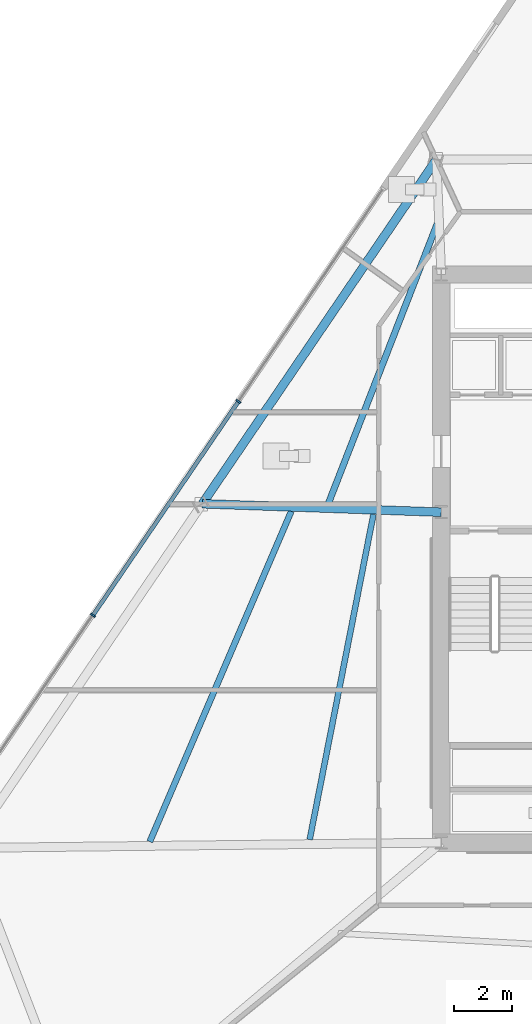
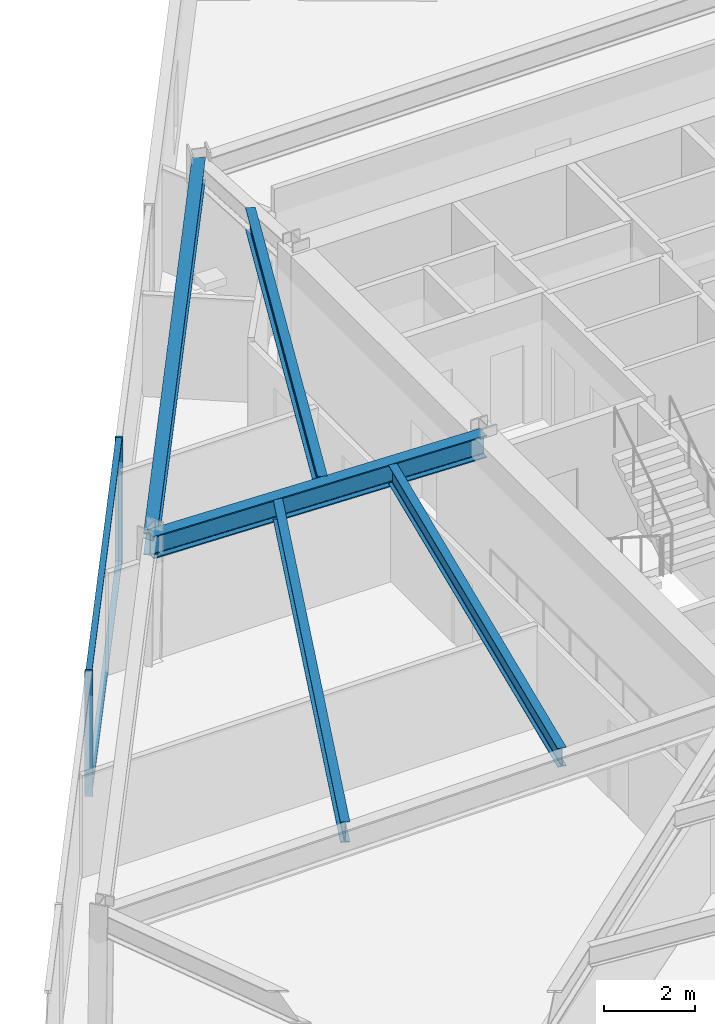
# One storey, part 4 of 18: 5 beams, 4 members, 1 element without a shape of its own.
"""IFC4 building model written with IfcOpenShell, lengths in metres."""

from ifc_helpers import new_model, si_unit, direction, frame, origin, origin_2d, place, context, subcontext, project, spatial, rectangle, i_section, extrude, material, material_profile, profile_set, type_object, element, aggregate, save


model = new_model("IFC4")

# Units and contexts
model_context = context("Model", 3, precision=1e-05, world=origin(), true_north=direction((0.0, 1.0)))
body_context = subcontext(model_context, "Body", "Model", "MODEL_VIEW")
ifc_project = project(units=[si_unit("LENGTHUNIT", "METRE"), si_unit("AREAUNIT", "SQUARE_METRE"), si_unit("VOLUMEUNIT", "CUBIC_METRE"), si_unit("PLANEANGLEUNIT", "RADIAN"), si_unit("MASSUNIT", "GRAM", prefix="KILO")], contexts=[model_context])

# Site, building, storey
site_placement = place(None, origin())
site = spatial("IfcSite", under=ifc_project, at=site_placement, CompositionType="ELEMENT")
building_placement = place(site_placement, origin())
building = spatial("IfcBuilding", under=site, at=building_placement, Name="Savorim Split Tower", CompositionType="ELEMENT")
storey_placement = place(building_placement, frame((0.0, 0.0, 37.199951171875)))
storey = spatial("IfcBuildingStorey", under=building, at=storey_placement, Name="L09", CompositionType="ELEMENT", Elevation=37.199951171875)

# Beams
ifc_material_1 = material(Name="Steel S355", Category="steel")
ifc_material_profile_1 = material_profile(ifc_material_1, i_section(OverallWidth=0.199951171875, OverallDepth=0.5, WebThickness=0.01025390625, FlangeThickness=0.01611328125, FilletRadius=0.02099609375, at=origin_2d()), Name="IPE 500")
ifc_profile_set_1 = profile_set([ifc_material_profile_1], Name="Steel S355")
beam_type_1 = type_object("IfcBeamType", Name="BM-JST-IPE500", PredefinedType="JOIST", material=ifc_profile_set_1)
beam_1_placement = place(storey_placement, frame((-10.0390625, 1.92431640625, 3.10009765625), z_axis=(-0.192472121113, -0.981302441959, 0.0), x_axis=(0.981302441959, -0.192472121113, 0.0)))
element("IfcBeam", 1, at=beam_1_placement, inside=storey, type_object=beam_type_1, Name="L09 Secondary Floor Joist JS-11", PredefinedType="JOIST", context=body_context, shape_type="SweptSolid", body=[
    extrude(i_section(OverallWidth=0.199951171875, OverallDepth=0.5, WebThickness=0.01025390625, FlangeThickness=0.01611328125, FilletRadius=0.02099609375, at=origin_2d()), origin(), (0.0, 0.0, 1.0), 11.4326171875),
])
ifc_material_profile_2 = material_profile(ifc_material_1, i_section(OverallWidth=0.2099609375, OverallDepth=0.550048828125, WebThickness=0.010986328125, FlangeThickness=0.01708984375, FilletRadius=0.02392578125, at=origin_2d()), Name="IPE 550")
ifc_profile_set_2 = profile_set([ifc_material_profile_2], Name="Steel S355")
beam_type_2 = type_object("IfcBeamType", Name="BM-JST-IPE550", PredefinedType="JOIST", material=ifc_profile_set_2)
beam_2_placement = place(storey_placement, frame((-12.874267578125, 2.033203125, 3.074951171875), z_axis=(-0.393684069866, -0.919245806699, 0.0), x_axis=(0.919245806699, -0.393684069866, 0.0)))
element("IfcBeam", 2, at=beam_2_placement, inside=storey, type_object=beam_type_2, Name="L09 Secondary Floor Joist JS-10", PredefinedType="JOIST", context=body_context, shape_type="SweptSolid", body=[
    extrude(i_section(OverallWidth=0.2099609375, OverallDepth=0.550048828125, WebThickness=0.010986328125, FlangeThickness=0.01708984375, FilletRadius=0.02392578125, at=origin_2d()), origin(), (0.0, 0.0, 1.0), 12.401611328125),
])
ifc_material_profile_3 = material_profile(ifc_material_1, i_section(OverallWidth=0.219970703125, OverallDepth=0.60009765625, WebThickness=0.011962890625, FlangeThickness=0.01904296875, FilletRadius=0.02392578125, at=origin_2d()), Name="IPE 600")
ifc_profile_set_3 = profile_set([ifc_material_profile_3], Name="Steel S355")
beam_type_3 = type_object("IfcBeamType", Name="BM-JST-IPE600", PredefinedType="JOIST", material=ifc_profile_set_3)
beam_3_placement = place(storey_placement, frame((-7.837646484375, 11.9541015625, 3.050048828125), z_axis=(-0.362668895313, -0.931918060975, 0.0), x_axis=(0.931918060975, -0.362668895313, 0.0)))
element("IfcBeam", 3, at=beam_3_placement, inside=storey, type_object=beam_type_3, Name="L09 Secondary Floor Joist JS-09", PredefinedType="JOIST", context=body_context, shape_type="SweptSolid", body=[
    extrude(i_section(OverallWidth=0.219970703125, OverallDepth=0.60009765625, WebThickness=0.011962890625, FlangeThickness=0.01904296875, FilletRadius=0.02392578125, at=origin_2d()), origin(), (0.0, 0.0, 1.0), 10.37158203125),
])
ifc_material_profile_4 = material_profile(ifc_material_1, i_section(OverallWidth=0.300048828125, OverallDepth=0.60009765625, WebThickness=0.015380859375, FlangeThickness=0.030029296875, FilletRadius=0.027099609375, at=origin_2d()), Name="HEB 600")
ifc_profile_set_4 = profile_set([ifc_material_profile_4], Name="Steel S355")
beam_type_4 = type_object("IfcBeamType", Name="BM-PRI-HEB600", PredefinedType="BEAM", material=ifc_profile_set_4)
beam_4_placement = place(storey_placement, frame((-15.944091796875, 2.29052734375, 3.050048828125), z_axis=(0.999379632598, -0.03521860231, 0.0), x_axis=(0.03521860231, 0.999379632598, 0.0)))
element("IfcBeam", 4, at=beam_4_placement, inside=storey, type_object=beam_type_4, Name="L09 Primary Floor Girder RG-09", PredefinedType="BEAM", context=body_context, shape_type="SweptSolid", body=[
    extrude(i_section(OverallWidth=0.300048828125, OverallDepth=0.60009765625, WebThickness=0.015380859375, FlangeThickness=0.030029296875, FilletRadius=0.027099609375, at=origin_2d()), origin(), (0.0, 0.0, 1.0), 8.249267578125),
])
ifc_material_profile_5 = material_profile(ifc_material_1, i_section(OverallWidth=0.300048828125, OverallDepth=0.590087890625, WebThickness=0.012939453125, FlangeThickness=0.02490234375, FilletRadius=0.027099609375, at=origin_2d()), Name="HEA 600")
ifc_profile_set_5 = profile_set([ifc_material_profile_5], Name="Steel S355")
beam_type_5 = type_object("IfcBeamType", Name="BM-SPN-HEA600", PredefinedType="SPANDREL", material=ifc_profile_set_5)
beam_5_placement = place(storey_placement, frame((-7.8662109375, 14.1650390625, 3.054931640625), z_axis=(-0.562462988831, -0.826822463528, 0.0), x_axis=(0.826822463528, -0.562462988831, 0.0)))
element("IfcBeam", 5, at=beam_5_placement, inside=storey, type_object=beam_type_5, Name="L09 Perimeter Spandrel Beam 8", PredefinedType="SPANDREL", context=body_context, shape_type="SweptSolid", body=[
    extrude(i_section(OverallWidth=0.300048828125, OverallDepth=0.590087890625, WebThickness=0.012939453125, FlangeThickness=0.02490234375, FilletRadius=0.027099609375, at=origin_2d()), origin(), (0.0, 0.0, 1.0), 14.361572265625),
])

# Curtain wall, members
ifc_material_2 = material(Name="Dark Ceramic-Fritted Insulated Glass", Category="glass")
curtain_wall_type = type_object("IfcCurtainWallType", Name="CW-TWR-FRIT-A", PredefinedType="NOTDEFINED", material=ifc_material_2)
curtain_wall_placement = place(storey_placement, origin())
curtain_wall = element("IfcCurtainWall", 6, at=curtain_wall_placement, inside=storey, type_object=curtain_wall_type, Name="L09 Curtain Wall CW-L09-WEST", PredefinedType="NOTDEFINED")
ifc_material_3 = material(Name="Charcoal Anodised Aluminium", Category="aluminium")
ifc_material_profile_6 = material_profile(ifc_material_3, rectangle(XDim=0.179931640625, YDim=0.06494140625, at=origin_2d()), Name="ALU-M 180x65")
ifc_profile_set_6 = profile_set([ifc_material_profile_6], Name="Charcoal Anodised Aluminium")
member_type_1 = type_object("IfcMemberType", Name="CWM-180x65", PredefinedType="MULLION", material=ifc_profile_set_6)
member_1_placement = place(storey_placement, frame((-14.700927734375, 5.81591796875, 0.0), z_axis=(0.0, 0.0, 1.0), x_axis=(0.826820923165, -0.562465253164, 0.0)))
member_1 = element("IfcMember", 7, at=member_1_placement, type_object=member_type_1, Name="CW-02 mullion 2", PredefinedType="MULLION", context=body_context, shape_type="SweptSolid", body=[
    extrude(rectangle(XDim=0.179931640625, YDim=0.06494140625, at=origin_2d()), origin(), (0.0, 0.0, 1.0), 3.35009765625),
])
member_2_placement = place(storey_placement, frame((-19.718017578125, -1.55908203125, 0.0), z_axis=(0.0, 0.0, 1.0), x_axis=(0.826820923165, -0.562465253164, 0.0)))
member_2 = element("IfcMember", 8, at=member_2_placement, type_object=member_type_1, Name="CW-02 mullion 3", PredefinedType="MULLION", context=body_context, shape_type="SweptSolid", body=[
    extrude(rectangle(XDim=0.179931640625, YDim=0.06494140625, at=origin_2d()), origin(), (0.0, 0.0, 1.0), 3.35009765625),
])
ifc_material_profile_7 = material_profile(ifc_material_3, rectangle(XDim=0.139892578125, YDim=0.054931640625, at=origin_2d()), Name="ALU-T 140x55")
ifc_profile_set_7 = profile_set([ifc_material_profile_7], Name="Charcoal Anodised Aluminium")
member_type_2 = type_object("IfcMemberType", Name="CWT-140x55", PredefinedType="USERDEFINED", material=ifc_profile_set_7)
member_3_placement = place(storey_placement, frame((-14.71923828125, 5.7890625, 0.027587890625), z_axis=(-0.562463858464, -0.826821871942, 0.0), x_axis=(0.826821871942, -0.562463858464, 0.0)))
member_3 = element("IfcMember", 9, at=member_3_placement, type_object=member_type_2, Name="CW-02 transom 2.1", ObjectType="TRANSOM", PredefinedType="USERDEFINED", context=body_context, shape_type="SweptSolid", body=[
    extrude(rectangle(XDim=0.139892578125, YDim=0.054931640625, at=origin_2d()), origin(), (0.0, 0.0, 1.0), 8.854736328125),
])
member_4_placement = place(storey_placement, frame((-14.71923828125, 5.7890625, 3.322509765625), z_axis=(-0.562463858464, -0.826821871942, 0.0), x_axis=(0.826821871942, -0.562463858464, 0.0)))
member_4 = element("IfcMember", 10, at=member_4_placement, type_object=member_type_2, Name="CW-02 transom 2.2", ObjectType="TRANSOM", PredefinedType="USERDEFINED", context=body_context, shape_type="SweptSolid", body=[
    extrude(rectangle(XDim=0.139892578125, YDim=0.054931640625, at=origin_2d()), origin(), (0.0, 0.0, 1.0), 8.854736328125),
])
aggregate(curtain_wall, [member_1, member_2, member_3, member_4])

save(model, "model.ifc")
